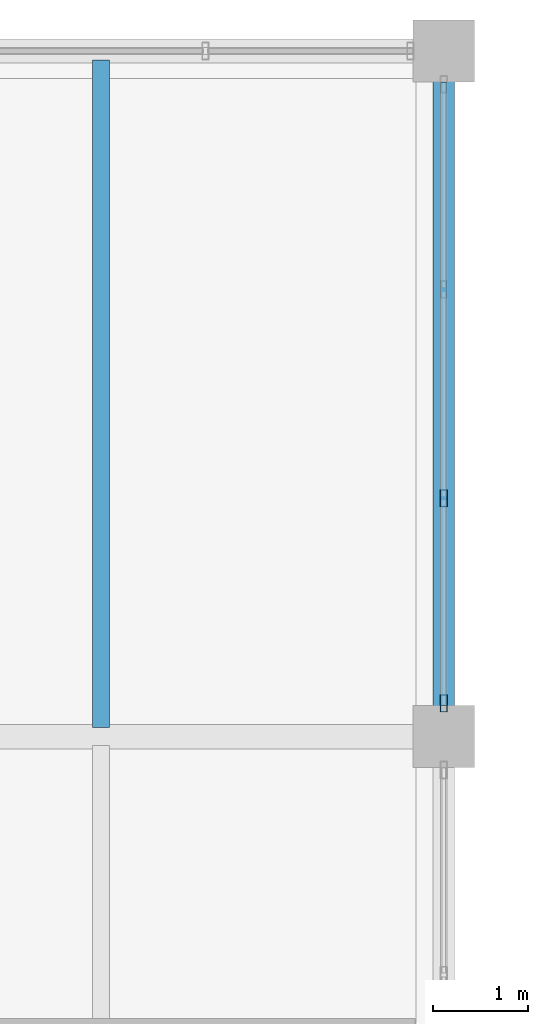
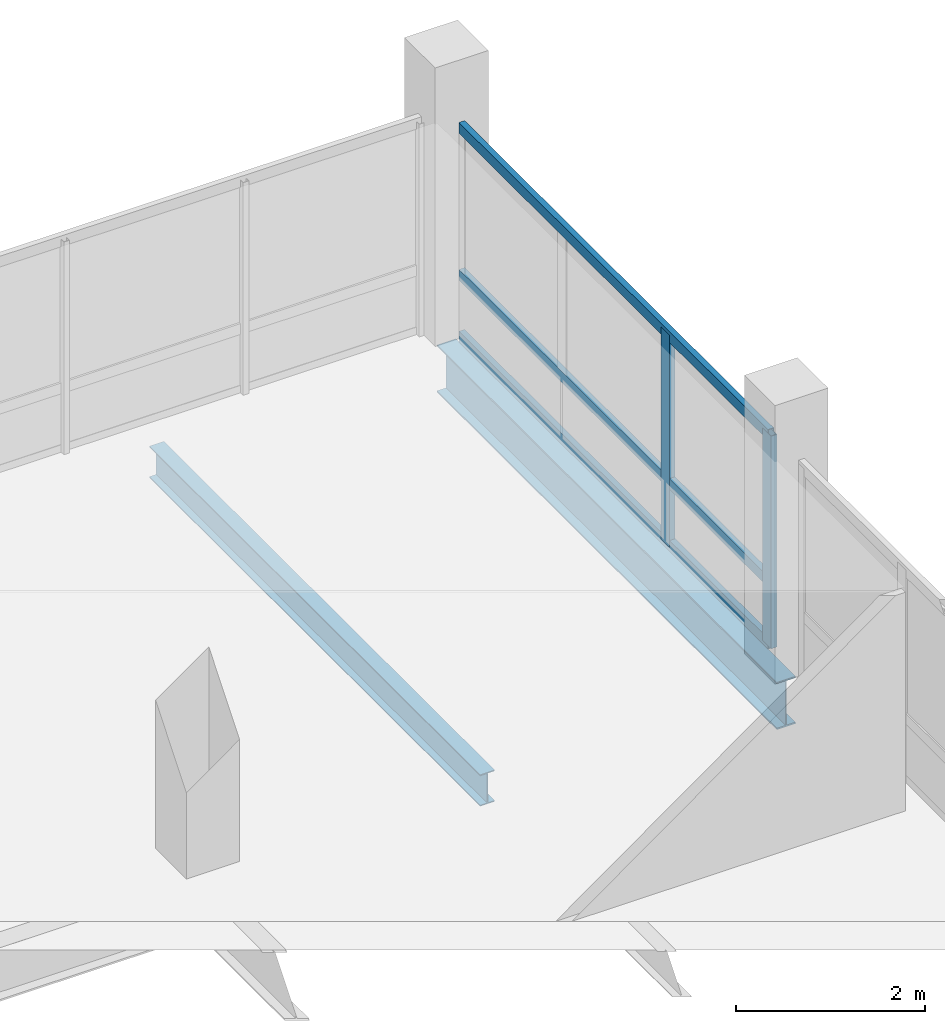
# One storey, part 46 of 96: 5 members, 2 beams, 1 element without a shape of its own.
"""IFC4 building model written with IfcOpenShell, lengths in metres."""

from ifc_helpers import new_model, si_unit, direction, frame, origin, origin_2d, place, context, subcontext, project, spatial, hollow_rectangle, i_section, extrude, material, material_profile, profile_set, type_object, element, aggregate, save


model = new_model("IFC4")

# Units and contexts
model_context = context("Model", 3, precision=1e-05, world=origin(), true_north=direction((0.0, 1.0)))
body_context = subcontext(model_context, "Body", "Model", "MODEL_VIEW")
ifc_project = project(units=[si_unit("LENGTHUNIT", "METRE"), si_unit("AREAUNIT", "SQUARE_METRE"), si_unit("VOLUMEUNIT", "CUBIC_METRE"), si_unit("PLANEANGLEUNIT", "RADIAN"), si_unit("MASSUNIT", "GRAM", prefix="KILO")], contexts=[model_context])

# Site, building, storey
site_placement = place(None, origin())
site = spatial("IfcSite", under=ifc_project, at=site_placement, CompositionType="ELEMENT")
building_placement = place(site_placement, origin())
building = spatial("IfcBuilding", under=site, at=building_placement, Name="Yarey Park Central Fire Station", CompositionType="ELEMENT")
storey_placement = place(building_placement, frame((0.0, 0.0, 14.39990234375)))
storey = spatial("IfcBuildingStorey", under=building, at=storey_placement, Name="L04", CompositionType="ELEMENT", Elevation=14.39990234375)

# Curtain wall, members
ifc_material_1 = material(Name="Anodized Aluminium Frame", Category="aluminium")
curtain_wall_type = type_object("IfcCurtainWallType", Name="ENV_CW_HQ_L04", PredefinedType="NOTDEFINED", material=ifc_material_1)
curtain_wall_placement = place(storey_placement, origin())
curtain_wall = element("IfcCurtainWall", 1, at=curtain_wall_placement, inside=storey, type_object=curtain_wall_type, Name="CW_L04_V4_E_108", PredefinedType="NOTDEFINED")
ifc_material_profile_1 = material_profile(ifc_material_1, hollow_rectangle(XDim=0.070068359375, YDim=0.179931640625, WallThickness=0.00390625, at=origin_2d()), Name="ALU 180x70x4")
ifc_profile_set_1 = profile_set([ifc_material_profile_1], Name="Anodized Aluminium Frame")
member_type_1 = type_object("IfcMemberType", Name="ENV_CW_MULLION", PredefinedType="MULLION", material=ifc_profile_set_1)
member_1_placement = place(storey_placement, frame((158.39990234375, 108.35009765625, 0.0), z_axis=(0.0, 0.0, 1.0), x_axis=(1.0, 0.0, 0.0)))
member_1 = element("IfcMember", 2, at=member_1_placement, type_object=member_type_1, Name="CW_L04_V4_E_108_MUL1", PredefinedType="MULLION", context=body_context, shape_type="SweptSolid", body=[
    extrude(hollow_rectangle(XDim=0.070068359375, YDim=0.179931640625, WallThickness=0.00390625, at=origin_2d()), origin(), (0.0, 0.0, 1.0), 2.75),
])
member_2_placement = place(storey_placement, frame((158.39990234375, 110.50341796875, 0.0), z_axis=(0.0, 0.0, 1.0), x_axis=(1.0, 0.0, 0.0)))
member_2 = element("IfcMember", 3, at=member_2_placement, type_object=member_type_1, Name="CW_L04_V4_E_108_MUL2", PredefinedType="MULLION", context=body_context, shape_type="SweptSolid", body=[
    extrude(hollow_rectangle(XDim=0.070068359375, YDim=0.179931640625, WallThickness=0.00390625, at=origin_2d()), origin(), (0.0, 0.0, 1.0), 2.75),
])
ifc_material_profile_2 = material_profile(ifc_material_1, hollow_rectangle(XDim=0.070068359375, YDim=0.139892578125, WallThickness=0.00390625, at=origin_2d()), Name="ALU 140x70x4")
ifc_profile_set_2 = profile_set([ifc_material_profile_2], Name="Anodized Aluminium Frame")
member_type_2 = type_object("IfcMemberType", Name="ENV_CW_TRANSOM", PredefinedType="USERDEFINED", material=ifc_profile_set_2)
member_3_placement = place(storey_placement, frame((158.39990234375, 108.324951171875, 0.025146484375), z_axis=(0.0, 1.0, 0.0), x_axis=(-1.0, 0.0, 0.0)))
member_3 = element("IfcMember", 4, at=member_3_placement, type_object=member_type_2, Name="CW_L04_V4_E_108_TRN1", ObjectType="TRANSOM", PredefinedType="USERDEFINED", context=body_context, shape_type="SweptSolid", body=[
    extrude(hollow_rectangle(XDim=0.070068359375, YDim=0.139892578125, WallThickness=0.00390625, at=origin_2d()), origin(), (0.0, 0.0, 1.0), 6.550048828125),
])
member_4_placement = place(storey_placement, frame((158.39990234375, 108.324951171875, 0.8251953125), z_axis=(0.0, 1.0, 0.0), x_axis=(-1.0, 0.0, 0.0)))
member_4 = element("IfcMember", 5, at=member_4_placement, type_object=member_type_2, Name="CW_L04_V4_E_108_TRN2", ObjectType="TRANSOM", PredefinedType="USERDEFINED", context=body_context, shape_type="SweptSolid", body=[
    extrude(hollow_rectangle(XDim=0.070068359375, YDim=0.139892578125, WallThickness=0.00390625, at=origin_2d()), origin(), (0.0, 0.0, 1.0), 6.550048828125),
])
member_5_placement = place(storey_placement, frame((158.39990234375, 108.324951171875, 2.72509765625), z_axis=(0.0, 1.0, 0.0), x_axis=(-1.0, 0.0, 0.0)))
member_5 = element("IfcMember", 6, at=member_5_placement, type_object=member_type_2, Name="CW_L04_V4_E_108_TRN3", ObjectType="TRANSOM", PredefinedType="USERDEFINED", context=body_context, shape_type="SweptSolid", body=[
    extrude(hollow_rectangle(XDim=0.070068359375, YDim=0.139892578125, WallThickness=0.00390625, at=origin_2d()), origin(), (0.0, 0.0, 1.0), 6.550048828125),
])
aggregate(curtain_wall, [member_1, member_2, member_3, member_4, member_5])

# Beams
ifc_material_2 = material(Name="Steel ASTM A992 Gr. 50", Category="steel")
ifc_material_profile_3 = material_profile(ifc_material_2, i_section(OverallWidth=0.22900390625, OverallDepth=0.612060546875, WebThickness=0.011962890625, FlangeThickness=0.01953125, at=origin_2d()), Name="W610x125")
ifc_profile_set_3 = profile_set([ifc_material_profile_3], Name="Steel ASTM A992 Gr. 50")
beam_type_1 = type_object("IfcBeamType", Name="STR_BM_W610", PredefinedType="BEAM", material=ifc_profile_set_3)
beam_1_placement = place(storey_placement, frame((158.39990234375, 108.0, -0.555908203125), z_axis=(0.0, 1.0, 0.0), x_axis=(-1.0, 0.0, 0.0)))
element("IfcBeam", 7, at=beam_1_placement, inside=storey, type_object=beam_type_1, Name="BMY L04 X1584 Y1080", PredefinedType="BEAM", context=body_context, shape_type="SweptSolid", body=[
    extrude(i_section(OverallWidth=0.22900390625, OverallDepth=0.612060546875, WebThickness=0.011962890625, FlangeThickness=0.01953125, at=origin_2d()), origin(), (0.0, 0.0, 1.0), 7.199951171875),
])
ifc_material_profile_4 = material_profile(ifc_material_2, i_section(OverallWidth=0.177978515625, OverallDepth=0.406982421875, WebThickness=0.0078125, FlangeThickness=0.0126953125, at=origin_2d()), Name="W410x60")
ifc_profile_set_4 = profile_set([ifc_material_profile_4], Name="Steel ASTM A992 Gr. 50")
beam_type_2 = type_object("IfcBeamType", Name="STR_JST_W410", PredefinedType="JOIST", material=ifc_profile_set_4)
beam_2_placement = place(storey_placement, frame((154.800048828125, 108.094970703125, -0.453369140625), z_axis=(0.0, 1.0, 0.0), x_axis=(-1.0, 0.0, 0.0)))
element("IfcBeam", 8, at=beam_2_placement, inside=storey, type_object=beam_type_2, Name="JST L04 X1548 Y1080", PredefinedType="JOIST", context=body_context, shape_type="SweptSolid", body=[
    extrude(i_section(OverallWidth=0.177978515625, OverallDepth=0.406982421875, WebThickness=0.0078125, FlangeThickness=0.0126953125, at=origin_2d()), origin(), (0.0, 0.0, 1.0), 7.010009765625),
])

save(model, "model.ifc")
